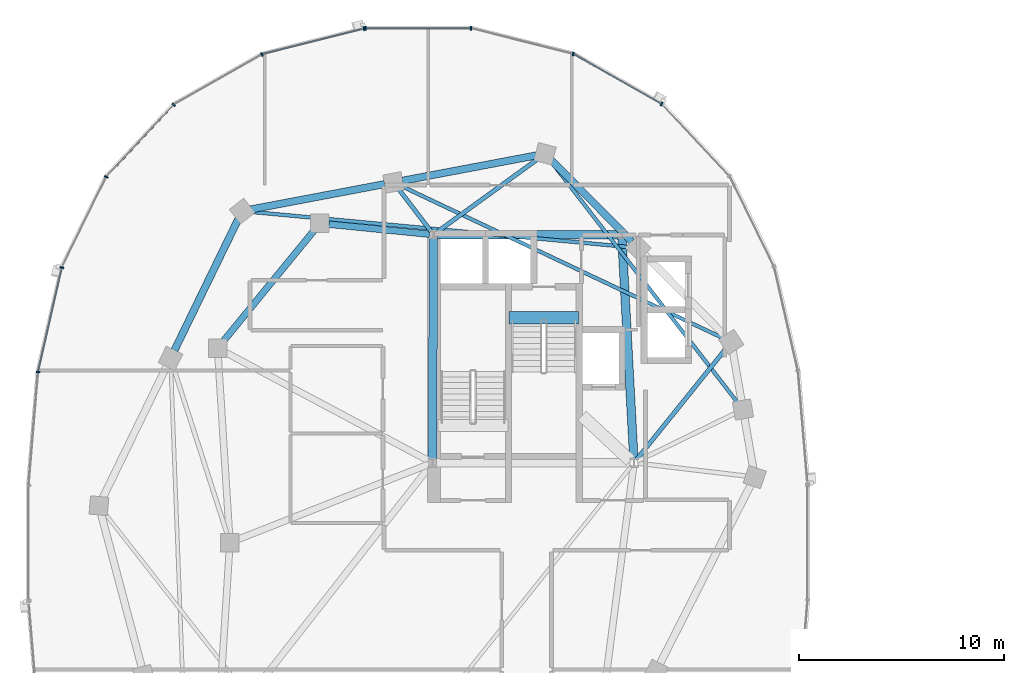
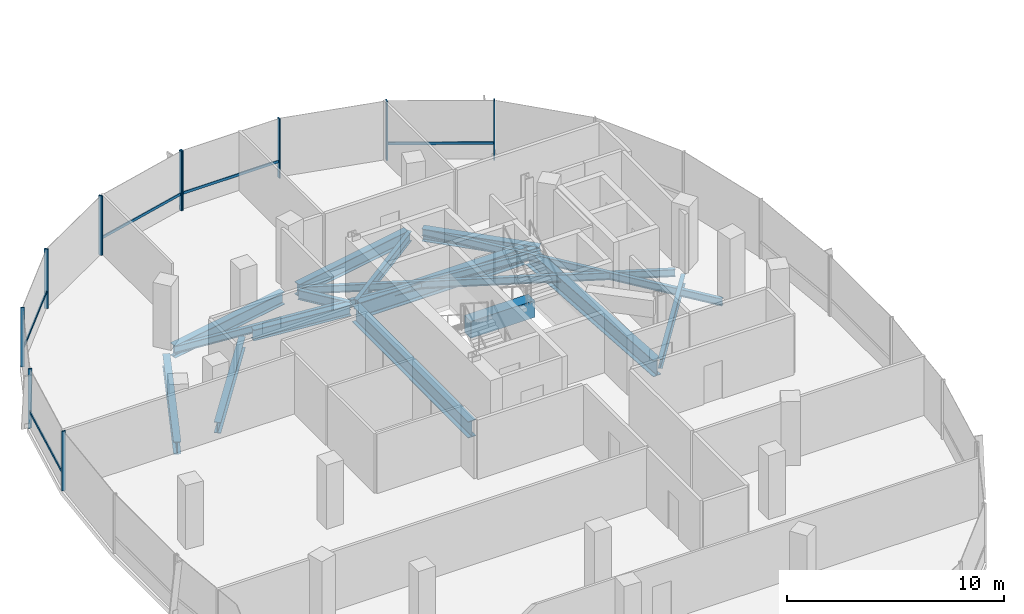
# One storey, part 6 of 25: 16 beams, 15 members, 2 elements without a shape of their own.
"""IFC4 building model written with IfcOpenShell, lengths in metres."""

import ifcopenshell
import ifcopenshell.guid

model = None  # the IFC model being written
_history = None  # IfcOwnerHistory: only IFC2X3 demands one
_inside = {}  # id of a spatial element -> (the spatial element, [elements in it])
_under = {}  # id of a project, library or spatial element -> (it, [spatial elements below it])
_declared = {}  # id of a project -> (the project, [libraries it declares])
_typed = {}  # id of a type object -> (the type object, [elements of that type])
_made_of = {}  # id of a material, layer set ... -> (it, [elements and type objects made of it])


def new_model(schema):
    """Start an empty IFC model of exactly this schema.

    Asked for "IFC4X3", IfcOpenShell would pick the latest addendum, in which some entities
    have other attributes; the version numbers below select the first issue.
    IFC2X3 requires an IfcOwnerHistory on every rooted entity: one is made here for all.
    """
    global model, _history
    if schema == "IFC4X3":
        model = ifcopenshell.file(schema_version=(4, 3, 0, 0))
    else:
        model = ifcopenshell.file(schema=schema)
    _inside.clear()
    _under.clear()
    _declared.clear()
    _typed.clear()
    _made_of.clear()
    _history = None
    if model.schema == "IFC2X3":
        org = make("IfcOrganization", Name="unknown")
        user = make(
            "IfcPersonAndOrganization",
            ThePerson=make("IfcPerson", FamilyName="unknown"),
            TheOrganization=org,
        )
        app = make(
            "IfcApplication",
            ApplicationDeveloper=org,
            Version="unknown",
            ApplicationFullName="unknown",
            ApplicationIdentifier="unknown",
        )
        _history = make(
            "IfcOwnerHistory",
            OwningUser=user,
            OwningApplication=app,
            ChangeAction="ADDED",
            CreationDate=0,
        )
    return model


def make(cls, **values):
    """One entity of the class cls with the attributes given. An attribute that is None is left unset."""
    return model.create_entity(
        cls, **{name: value for name, value in values.items() if value is not None}
    )


def rooted(cls, **values):
    """An entity with a GlobalId (a new one), such as an element, a storey or a relation."""
    return make(cls, GlobalId=ifcopenshell.guid.new(), OwnerHistory=_history, **values)


def si_unit(unit_type, name, prefix=None):
    """IfcSIUnit, for example si_unit("LENGTHUNIT", "METRE", prefix="MILLI")."""
    return make("IfcSIUnit", UnitType=unit_type, Prefix=prefix, Name=name)


def assignment(units):
    """IfcUnitAssignment: the units of a project."""
    return None if units is None else make("IfcUnitAssignment", Units=units)


def point(xyz):
    """IfcCartesianPoint."""
    return None if xyz is None else make("IfcCartesianPoint", Coordinates=xyz)


def direction(xyz):
    """IfcDirection."""
    return None if xyz is None else make("IfcDirection", DirectionRatios=xyz)


def frame(location, z_axis=None, x_axis=None):
    """IfcAxis2Placement3D, a coordinate frame: its origin and axes. An axis left out is left unset."""
    return make(
        "IfcAxis2Placement3D",
        Location=point(location),
        Axis=direction(z_axis),
        RefDirection=direction(x_axis),
    )


def frame_2d(location, x_axis=None):
    """IfcAxis2Placement2D, a coordinate frame in the plane: its origin and x axis."""
    return make(
        "IfcAxis2Placement2D", Location=point(location), RefDirection=direction(x_axis)
    )


def origin():
    """The frame at (0, 0, 0) with its axes left unset."""
    return frame((0.0, 0.0, 0.0))


def origin_2d():
    """The frame at (0, 0) in the plane with its x axis left unset."""
    return frame_2d((0.0, 0.0))


def place(relative_to, where):
    """IfcLocalPlacement: puts the frame where relative to a parent placement (None: the world)."""
    return make(
        "IfcLocalPlacement", PlacementRelTo=relative_to, RelativePlacement=where
    )


def context(
    kind, dimensions, precision=None, world=None, true_north=None, identifier=None
):
    """IfcGeometricRepresentationContext, for example the 3D "Model" context."""
    return make(
        "IfcGeometricRepresentationContext",
        ContextIdentifier=identifier,
        ContextType=kind,
        CoordinateSpaceDimension=dimensions,
        Precision=precision,
        WorldCoordinateSystem=world,
        TrueNorth=true_north,
    )


def subcontext(parent, identifier, kind, view, scale=None):
    """IfcGeometricRepresentationSubContext, for example "Body" below "Model"."""
    return make(
        "IfcGeometricRepresentationSubContext",
        ContextIdentifier=identifier,
        ContextType=kind,
        ParentContext=parent,
        TargetScale=scale,
        TargetView=view,
    )


def project(units=None, contexts=None):
    """IfcProject with its units and contexts."""
    return rooted(
        "IfcProject",
        Name="project",
        RepresentationContexts=contexts,
        UnitsInContext=assignment(units),
    )


def spatial(cls, under=None, at=None, **own):
    """A site, building, storey or space (cls), placed at a placement, below another one or the project."""
    s = rooted(cls, ObjectPlacement=at, **own)
    if under is not None:
        _under.setdefault(under.id(), (under, []))[1].append(s)
    return s


def profile(cls, at=None, kind="AREA", **sizes):
    """A parametric profile (cls). Its sizes go by their IFC names, for example OverallWidth=200.0."""
    return make(cls, ProfileType=kind, Position=at, **sizes)


def rectangle(**sizes):
    """IfcRectangleProfileDef."""
    return profile("IfcRectangleProfileDef", **sizes)


def i_section(**sizes):
    """IfcIShapeProfileDef."""
    return profile("IfcIShapeProfileDef", **sizes)


def extrude(swept, where, along, depth):
    """IfcExtrudedAreaSolid: the profile swept, set in the frame where, extruded along a direction by depth."""
    return make(
        "IfcExtrudedAreaSolid",
        SweptArea=swept,
        Position=where,
        ExtrudedDirection=direction(along),
        Depth=depth,
    )


def shape(context_of_items, identifier, shape_type, items):
    """IfcShapeRepresentation: the items that make up one representation, for example the "Body"."""
    return make(
        "IfcShapeRepresentation",
        ContextOfItems=context_of_items,
        RepresentationIdentifier=identifier,
        RepresentationType=shape_type,
        Items=items,
    )


def material(Name=None, Category=None):
    """IfcMaterial."""
    return make("IfcMaterial", Name=Name, Category=Category)


def material_profile(
    of_material, cross_section, Name=None, Category=None, Priority=None
):
    """IfcMaterialProfile: a cross section and its material."""
    return make(
        "IfcMaterialProfile",
        Name=Name,
        Material=of_material,
        Profile=cross_section,
        Priority=Priority,
        Category=Category,
    )


def profile_set(profiles, Name=None, composite=None):
    """IfcMaterialProfileSet."""
    return make(
        "IfcMaterialProfileSet",
        Name=Name,
        MaterialProfiles=profiles,
        CompositeProfile=composite,
    )


def made_of(thing, what):
    """Note that an element or type object is made of a material, layer set ...; save() writes the relation."""
    if what is not None:
        _made_of.setdefault(what.id(), (what, []))[1].append(thing)
    return thing


def type_object(cls, material=None, **own):
    """A type object (cls), such as IfcWallType, which elements share."""
    return made_of(rooted(cls, **own), material)


def element(
    cls,
    number,
    at=None,
    inside=None,
    cuts=None,
    type_object=None,
    material=None,
    context=None,
    identifier="Body",
    shape_type=None,
    held_by="IfcProductDefinitionShape",
    body=None,
    shapes=None,
    **own,
):
    """One element of the class cls, such as IfcWall. Its Tag is "e" and its number.

    at: its placement. inside: the storey or other place that contains it. cuts: it is an
    opening in that element (IfcRelVoidsElement). A single representation is given by context,
    identifier, shape_type and body (its items); several are given by shapes. held_by: the class
    of the entity that holds the representations. save() writes the other relations.
    """
    e = rooted(cls, Tag="e%d" % number, ObjectPlacement=at, **own)
    if body is not None:
        shapes = [shape(context, identifier, shape_type, body)]
    if shapes is not None:
        e.Representation = make(held_by, Representations=shapes)
    if inside is not None:
        _inside.setdefault(inside.id(), (inside, []))[1].append(e)
    if cuts is not None:
        rooted(
            "IfcRelVoidsElement", RelatingBuildingElement=cuts, RelatedOpeningElement=e
        )
    if type_object is not None:
        _typed.setdefault(type_object.id(), (type_object, []))[1].append(e)
    return made_of(e, material)


def aggregate(whole, parts):
    """IfcRelAggregates: a whole, such as a stair, and the parts it consists of."""
    return rooted("IfcRelAggregates", RelatingObject=whole, RelatedObjects=parts)


def save(model, path):
    """Write the relations noted so far, then the file.

    IfcRelAggregates (storeys below a building ...), IfcRelContainedInSpatialStructure (elements
    in a storey), IfcRelDefinesByType, IfcRelAssociatesMaterial and IfcRelDeclares: one each for
    every whole, place, type object, material and project.
    """
    for whole, parts in _under.values():
        aggregate(whole, parts)
    for where, things in _inside.values():
        rooted(
            "IfcRelContainedInSpatialStructure",
            RelatedElements=things,
            RelatingStructure=where,
        )
    for kind, things in _typed.values():
        rooted("IfcRelDefinesByType", RelatedObjects=things, RelatingType=kind)
    for what, things in _made_of.values():
        rooted("IfcRelAssociatesMaterial", RelatedObjects=things, RelatingMaterial=what)
    for by, libraries in _declared.values():
        rooted("IfcRelDeclares", RelatingContext=by, RelatedDefinitions=libraries)
    model.write(path)


model = new_model("IFC4")

# Units and contexts
model_context = context("Model", 3, precision=1e-05, world=origin(), true_north=direction((0.0, 1.0)))
body_context = subcontext(model_context, "Body", "Model", "MODEL_VIEW")
ifc_project = project(units=[si_unit("LENGTHUNIT", "METRE"), si_unit("AREAUNIT", "SQUARE_METRE"), si_unit("VOLUMEUNIT", "CUBIC_METRE"), si_unit("PLANEANGLEUNIT", "RADIAN"), si_unit("MASSUNIT", "GRAM", prefix="KILO"), si_unit("THERMODYNAMICTEMPERATUREUNIT", "KELVIN"), si_unit("POWERUNIT", "WATT")], contexts=[model_context])

# Site, building, storey
site_placement = place(None, origin())
site = spatial("IfcSite", under=ifc_project, at=site_placement, CompositionType="ELEMENT")
building_placement = place(site_placement, origin())
building = spatial("IfcBuilding", under=site, at=building_placement, Name="Cundina Bronze Exchange", CompositionType="ELEMENT")
storey_placement = place(building_placement, frame((0.0, 0.0, 220.60009765625)))
storey = spatial("IfcBuildingStorey", under=building, at=storey_placement, Name="L58", CompositionType="ELEMENT", Elevation=220.60009765625)

# Beams
ifc_material_1 = material(Name="Concrete C60/75", Category="concrete")
ifc_material_profile_1 = material_profile(ifc_material_1, rectangle(XDim=0.60009765625, YDim=0.949951171875, at=origin_2d()), Name="RC600X950", Category="concrete")
ifc_profile_set_1 = profile_set([ifc_material_profile_1], Name="Concrete C60/75")
beam_type_1 = type_object("IfcBeamType", Name="BM-COUP-RC950", PredefinedType="LINTEL", material=ifc_profile_set_1)
beam_1_placement = place(storey_placement, frame((-27.56005859375, 10.97998046875, -0.47509765625), z_axis=(1.0, 0.0, 0.0), x_axis=(0.0, 1.0, 0.0)))
element("IfcBeam", 1, at=beam_1_placement, inside=storey, type_object=beam_type_1, Name="L58 Stair W2 Landing Header Beam", PredefinedType="LINTEL", context=body_context, shape_type="SweptSolid", body=[
    extrude(rectangle(XDim=0.60009765625, YDim=0.949951171875, at=origin_2d()), origin(), (0.0, 0.0, 1.0), 3.400146484375),
])
ifc_material_2 = material(Name="Steel ASTM A992 Grade 50", Category="steel")
ifc_material_profile_2 = material_profile(ifc_material_2, i_section(OverallWidth=0.2119140625, OverallDepth=0.5439453125, WebThickness=0.01318359375, FlangeThickness=0.021240234375, FilletRadius=0.013916015625, at=origin_2d()), Name="W21X83", Category="steel")
ifc_profile_set_2 = profile_set([ifc_material_profile_2], Name="Steel ASTM A992 Grade 50")
beam_type_2 = type_object("IfcBeamType", Name="BM-FLR-W21A", PredefinedType="BEAM", material=ifc_profile_set_2)
beam_2_placement = place(storey_placement, frame((-21.3271484375, 4.052734375, -0.531982421875), z_axis=(0.627128630072, 0.778915708755, 0.0), x_axis=(-0.778915708755, 0.627128630072, 0.0)))
element("IfcBeam", 2, at=beam_2_placement, inside=storey, type_object=beam_type_2, Name="L58 Leg W Radial Floor Beam 02", PredefinedType="BEAM", context=body_context, shape_type="SweptSolid", body=[
    extrude(i_section(OverallWidth=0.2119140625, OverallDepth=0.5439453125, WebThickness=0.01318359375, FlangeThickness=0.021240234375, FilletRadius=0.013916015625, at=origin_2d()), origin(), (0.0, 0.0, 1.0), 6.9404296875),
])
beam_3_placement = place(storey_placement, frame((-31.09130859375, 15.1650390625, -0.531982421875), z_axis=(0.809709858543, 0.586830422677, 0.0), x_axis=(-0.586830422677, 0.809709858543, 0.0)))
element("IfcBeam", 3, at=beam_3_placement, inside=storey, type_object=beam_type_2, Name="L58 Leg W Radial Floor Beam 04", PredefinedType="BEAM", context=body_context, shape_type="SweptSolid", body=[
    extrude(i_section(OverallWidth=0.2119140625, OverallDepth=0.5439453125, WebThickness=0.01318359375, FlangeThickness=0.021240234375, FilletRadius=0.013916015625, at=origin_2d()), origin(), (0.0, 0.0, 1.0), 6.096923828125),
])
beam_4_placement = place(storey_placement, frame((-31.369140625, 15.205810546875, -0.531982421875), z_axis=(-0.60740437517, 0.794392802727, 0.0), x_axis=(-0.794392802727, -0.60740437517, 0.0)))
element("IfcBeam", 4, at=beam_4_placement, inside=storey, type_object=beam_type_2, Name="L58 Leg W Radial Floor Beam 05", PredefinedType="BEAM", context=body_context, shape_type="SweptSolid", body=[
    extrude(i_section(OverallWidth=0.2119140625, OverallDepth=0.5439453125, WebThickness=0.01318359375, FlangeThickness=0.021240234375, FilletRadius=0.013916015625, at=origin_2d()), origin(), (0.0, 0.0, 1.0), 2.575927734375),
])
ifc_material_profile_3 = material_profile(ifc_material_2, i_section(OverallWidth=0.178955078125, OverallDepth=0.409912109375, WebThickness=0.0087890625, FlangeThickness=0.014404296875, FilletRadius=0.010986328125, at=origin_2d()), Name="W16X45", Category="steel")
ifc_profile_set_3 = profile_set([ifc_material_profile_3], Name="Steel ASTM A992 Grade 50")
beam_type_3 = type_object("IfcBeamType", Name="BM-JST-W16", PredefinedType="JOIST", material=ifc_profile_set_3)
beam_5_placement = place(storey_placement, frame((-16.39306640625, 6.846435546875, -0.465087890625), z_axis=(-0.612085793291, 0.790791364174, 0.0), x_axis=(-0.790791364174, -0.612085793291, 0.0)))
element("IfcBeam", 5, at=beam_5_placement, inside=storey, type_object=beam_type_3, Name="L58 Leg W Lobe Floor Joist 01-04", PredefinedType="JOIST", context=body_context, shape_type="SweptSolid", body=[
    extrude(i_section(OverallWidth=0.178955078125, OverallDepth=0.409912109375, WebThickness=0.0087890625, FlangeThickness=0.014404296875, FilletRadius=0.010986328125, at=origin_2d()), origin(), (0.0, 0.0, 1.0), 14.9306640625),
])
beam_6_placement = place(storey_placement, frame((-17.095947265625, 9.9873046875, -0.465087890625), z_axis=(-0.904073747204, 0.427376484632, 0.0), x_axis=(-0.427376484632, -0.904073747204, 0.0)))
element("IfcBeam", 6, at=beam_6_placement, inside=storey, type_object=beam_type_3, Name="L58 Leg W Lobe Floor Joist 02-05", PredefinedType="JOIST", context=body_context, shape_type="SweptSolid", body=[
    extrude(i_section(OverallWidth=0.178955078125, OverallDepth=0.409912109375, WebThickness=0.0087890625, FlangeThickness=0.014404296875, FilletRadius=0.010986328125, at=origin_2d()), origin(), (0.0, 0.0, 1.0), 17.374755859375),
])
beam_7_placement = place(storey_placement, frame((-21.68603515625, 14.440673828125, -0.465087890625), z_axis=(-0.9957017803, 0.092617302415, 0.0), x_axis=(-0.092617302415, -0.9957017803, 0.0)))
element("IfcBeam", 7, at=beam_7_placement, inside=storey, type_object=beam_type_3, Name="L58 Leg W Lobe Floor Joist 03-06", PredefinedType="JOIST", context=body_context, shape_type="SweptSolid", body=[
    extrude(i_section(OverallWidth=0.178955078125, OverallDepth=0.409912109375, WebThickness=0.0087890625, FlangeThickness=0.014404296875, FilletRadius=0.010986328125, at=origin_2d()), origin(), (0.0, 0.0, 1.0), 18.5576171875),
])
ifc_material_profile_4 = material_profile(ifc_material_2, i_section(OverallWidth=0.324951171875, OverallDepth=0.615966796875, WebThickness=0.013916015625, FlangeThickness=0.021484375, FilletRadius=0.01611328125, at=origin_2d()), Name="W24X117", Category="steel")
ifc_profile_set_4 = profile_set([ifc_material_profile_4], Name="Steel ASTM A992 Grade 50")
beam_type_4 = type_object("IfcBeamType", Name="BM-RING-W24", PredefinedType="USERDEFINED", material=ifc_profile_set_4)
beam_8_placement = place(storey_placement, frame((-31.445068359375, 15.0693359375, -0.568115234375), z_axis=(-0.995123854478, 0.09863323096, 0.0), x_axis=(-0.09863323096, -0.995123854478, 0.0)))
element("IfcBeam", 8, at=beam_8_placement, inside=storey, type_object=beam_type_4, Name="L58 W Inner Structural Ring Girder 01", ObjectType="GIRDER", PredefinedType="USERDEFINED", context=body_context, shape_type="SweptSolid", body=[
    extrude(i_section(OverallWidth=0.324951171875, OverallDepth=0.615966796875, WebThickness=0.013916015625, FlangeThickness=0.021484375, FilletRadius=0.01611328125, at=origin_2d()), origin(), (0.0, 0.0, 1.0), 4.943115234375),
])
beam_9_placement = place(storey_placement, frame((-37.07763671875, 15.26123046875, -0.568115234375), z_axis=(-0.633912590175, -0.77340469873, 0.0), x_axis=(0.77340469873, -0.633912590175, 0.0)))
element("IfcBeam", 9, at=beam_9_placement, inside=storey, type_object=beam_type_4, Name="L58 W Inner Structural Ring Girder 02", ObjectType="GIRDER", PredefinedType="USERDEFINED", context=body_context, shape_type="SweptSolid", body=[
    extrude(i_section(OverallWidth=0.324951171875, OverallDepth=0.615966796875, WebThickness=0.013916015625, FlangeThickness=0.021484375, FilletRadius=0.01611328125, at=origin_2d()), origin(), (0.0, 0.0, 1.0), 7.01123046875),
])
ifc_material_profile_5 = material_profile(ifc_material_2, i_section(OverallWidth=0.35498046875, OverallDepth=0.695068359375, WebThickness=0.015380859375, FlangeThickness=0.02490234375, FilletRadius=0.01806640625, at=origin_2d()), Name="W27X146", Category="steel")
ifc_profile_set_5 = profile_set([ifc_material_profile_5], Name="Steel ASTM A992 Grade 50")
beam_type_5 = type_object("IfcBeamType", Name="BM-RING-W27", PredefinedType="USERDEFINED", material=ifc_profile_set_5)
beam_10_placement = place(storey_placement, frame((-21.55810546875, 14.71142578125, -0.607666015625), z_axis=(-0.703211928763, 0.710980297368, 0.0), x_axis=(-0.710980297368, -0.703211928763, 0.0)))
element("IfcBeam", 10, at=beam_10_placement, inside=storey, type_object=beam_type_5, Name="L58 W Perimeter Ring Girder 03", ObjectType="GIRDER", PredefinedType="USERDEFINED", context=body_context, shape_type="SweptSolid", body=[
    extrude(i_section(OverallWidth=0.35498046875, OverallDepth=0.695068359375, WebThickness=0.015380859375, FlangeThickness=0.02490234375, FilletRadius=0.01806640625, at=origin_2d()), origin(), (0.0, 0.0, 1.0), 5.593994140625),
])
beam_11_placement = place(storey_placement, frame((-26.23046875, 18.918701171875, -0.607666015625), z_axis=(-0.982565174657, -0.185918470175, 0.0), x_axis=(0.185918470175, -0.982565174657, 0.0)))
element("IfcBeam", 11, at=beam_11_placement, inside=storey, type_object=beam_type_5, Name="L58 W Perimeter Ring Girder 04", ObjectType="GIRDER", PredefinedType="USERDEFINED", context=body_context, shape_type="SweptSolid", body=[
    extrude(i_section(OverallWidth=0.35498046875, OverallDepth=0.695068359375, WebThickness=0.015380859375, FlangeThickness=0.02490234375, FilletRadius=0.01806640625, at=origin_2d()), origin(), (0.0, 0.0, 1.0), 6.655029296875),
])
beam_12_placement = place(storey_placement, frame((-33.63037109375, 17.5185546875, -0.607666015625), z_axis=(-0.982573143022, -0.185876353022, 0.0), x_axis=(0.185876353022, -0.982573143022, 0.0)))
element("IfcBeam", 12, at=beam_12_placement, inside=storey, type_object=beam_type_5, Name="L58 W Perimeter Ring Girder 05", ObjectType="GIRDER", PredefinedType="USERDEFINED", context=body_context, shape_type="SweptSolid", body=[
    extrude(i_section(OverallWidth=0.35498046875, OverallDepth=0.695068359375, WebThickness=0.015380859375, FlangeThickness=0.02490234375, FilletRadius=0.01806640625, at=origin_2d()), origin(), (0.0, 0.0, 1.0), 6.6552734375),
])
beam_13_placement = place(storey_placement, frame((-40.79150390625, 15.80615234375, -0.607666015625), z_axis=(-0.437173087764, -0.89937739094, 0.0), x_axis=(0.89937739094, -0.437173087764, 0.0)))
element("IfcBeam", 13, at=beam_13_placement, inside=storey, type_object=beam_type_5, Name="L58 W Perimeter Ring Girder 06", ObjectType="GIRDER", PredefinedType="USERDEFINED", context=body_context, shape_type="SweptSolid", body=[
    extrude(i_section(OverallWidth=0.35498046875, OverallDepth=0.695068359375, WebThickness=0.015380859375, FlangeThickness=0.02490234375, FilletRadius=0.01806640625, at=origin_2d()), origin(), (0.0, 0.0, 1.0), 7.1298828125),
])
ifc_material_profile_6 = material_profile(ifc_material_2, i_section(OverallWidth=0.41796875, OverallDepth=0.927001953125, WebThickness=0.019287109375, FlangeThickness=0.031982421875, FilletRadius=0.02392578125, at=origin_2d()), Name="W36X231", Category="steel")
ifc_profile_set_6 = profile_set([ifc_material_profile_6], Name="Steel ASTM A992 Grade 50")
beam_type_6 = type_object("IfcBeamType", Name="BM-WRN-W36B", PredefinedType="USERDEFINED", material=ifc_profile_set_6)
beam_14_placement = place(storey_placement, frame((-21.46044921875, 4.095703125, -0.7236328125), z_axis=(-0.053749317644, 0.998554460634, 0.0), x_axis=(-0.998554460634, -0.053749317644, 0.0)))
element("IfcBeam", 14, at=beam_14_placement, inside=storey, type_object=beam_type_6, Name="L58 W Core Perimeter Tie Girder 2", ObjectType="GIRDER", PredefinedType="USERDEFINED", context=body_context, shape_type="SweptSolid", body=[
    extrude(i_section(OverallWidth=0.41796875, OverallDepth=0.927001953125, WebThickness=0.019287109375, FlangeThickness=0.031982421875, FilletRadius=0.02392578125, at=origin_2d()), origin(), (0.0, 0.0, 1.0), 10.774169921875),
])
beam_15_placement = place(storey_placement, frame((-22.24609375, 15.050048828125, -0.7236328125), z_axis=(-1.0, 0.0, 0.0), x_axis=(0.0, -1.0, 0.0)))
element("IfcBeam", 15, at=beam_15_placement, inside=storey, type_object=beam_type_6, Name="L58 W Core Perimeter Tie Girder 3", ObjectType="GIRDER", PredefinedType="USERDEFINED", context=body_context, shape_type="SweptSolid", body=[
    extrude(i_section(OverallWidth=0.41796875, OverallDepth=0.927001953125, WebThickness=0.019287109375, FlangeThickness=0.031982421875, FilletRadius=0.02392578125, at=origin_2d()), origin(), (0.0, 0.0, 1.0), 8.807861328125),
])
beam_16_placement = place(storey_placement, frame((-31.2509765625, 14.85400390625, -0.7236328125), z_axis=(-0.004470623654, -0.999990006712, 0.0), x_axis=(0.999990006712, -0.004470623654, 0.0)))
element("IfcBeam", 16, at=beam_16_placement, inside=storey, type_object=beam_type_6, Name="L58 W Core Perimeter Tie Girder 4", ObjectType="GIRDER", PredefinedType="USERDEFINED", context=body_context, shape_type="SweptSolid", body=[
    extrude(i_section(OverallWidth=0.41796875, OverallDepth=0.927001953125, WebThickness=0.019287109375, FlangeThickness=0.031982421875, FilletRadius=0.02392578125, at=origin_2d()), origin(), (0.0, 0.0, 1.0), 10.758056640625),
])

# Curtain wall, members
ifc_material_3 = material(Name="Anodised Bronze Aluminium 6063-T6", Category="aluminium")
curtain_wall_type = type_object("IfcCurtainWallType", Name="CWS-UPP-OFF", PredefinedType="NOTDEFINED", material=ifc_material_3)
curtain_wall_1_placement = place(storey_placement, origin())
curtain_wall_1 = element("IfcCurtainWall", 17, at=curtain_wall_1_placement, inside=storey, type_object=curtain_wall_type, Name="L58 CW-05 Curtain Wall Run CWR-L58-W1", PredefinedType="NOTDEFINED")
ifc_material_profile_7 = material_profile(ifc_material_3, rectangle(XDim=0.070068359375, YDim=0.18994140625, at=origin_2d()), Name="AL70X190", Category="aluminium")
ifc_profile_set_7 = profile_set([ifc_material_profile_7], Name="Anodised Bronze Aluminium 6063-T6")
member_type_1 = type_object("IfcMemberType", Name="CWM-MUL-190", PredefinedType="MULLION", material=ifc_profile_set_7)
member_1_placement = place(storey_placement, frame((-20.100341796875, 21.43115234375, 0.0), z_axis=(0.0, 0.0, 1.0), x_axis=(-0.86958112538, 0.493790103568, 0.0)))
member_1 = element("IfcMember", 18, at=member_1_placement, type_object=member_type_1, Name="CW-05 Mullion 5", PredefinedType="MULLION", context=body_context, shape_type="SweptSolid", body=[
    extrude(rectangle(XDim=0.070068359375, YDim=0.18994140625, at=origin_2d()), origin(), (0.0, 0.0, 1.0), 3.33984375),
])
member_2_placement = place(storey_placement, frame((-24.422607421875, 23.87548828125, 0.0), z_axis=(0.0, 0.0, 1.0), x_axis=(-0.969744325821, 0.244122802168, 0.0)))
member_2 = element("IfcMember", 19, at=member_2_placement, type_object=member_type_1, Name="CW-05 Mullion 6", PredefinedType="MULLION", context=body_context, shape_type="SweptSolid", body=[
    extrude(rectangle(XDim=0.070068359375, YDim=0.18994140625, at=origin_2d()), origin(), (0.0, 0.0, 1.0), 3.33984375),
])
member_3_placement = place(storey_placement, frame((-29.419921875, 25.125, 0.0), z_axis=(0.0, 0.0, 1.0), x_axis=(-1.0, 0.0, 0.0)))
member_3 = element("IfcMember", 20, at=member_3_placement, type_object=member_type_1, Name="CW-05 Mullion 7", PredefinedType="MULLION", context=body_context, shape_type="SweptSolid", body=[
    extrude(rectangle(XDim=0.070068359375, YDim=0.18994140625, at=origin_2d()), origin(), (0.0, 0.0, 1.0), 3.33984375),
])
member_4_placement = place(storey_placement, frame((-34.580078125, 25.125, 0.0), z_axis=(0.0, 0.0, 1.0), x_axis=(-1.0, 0.0, 0.0)))
member_4 = element("IfcMember", 21, at=member_4_placement, type_object=member_type_1, Name="CW-05 End Mullion", PredefinedType="MULLION", context=body_context, shape_type="SweptSolid", body=[
    extrude(rectangle(XDim=0.070068359375, YDim=0.18994140625, at=origin_2d()), origin(), (0.0, 0.0, 1.0), 3.33984375),
])

curtain_wall_2_placement = place(storey_placement, origin())
curtain_wall_2 = element("IfcCurtainWall", 22, at=curtain_wall_2_placement, inside=storey, type_object=curtain_wall_type, Name="L58 CW-05 Curtain Wall Run CWR-L58-W2", PredefinedType="NOTDEFINED")
member_5_placement = place(storey_placement, frame((-34.6484375, 25.116455078125, 0.0), z_axis=(0.0, 0.0, 1.0), x_axis=(-0.969744325821, -0.244122802168, 0.0)))
member_5 = element("IfcMember", 23, at=member_5_placement, type_object=member_type_1, Name="CW-05 Mullion 1", PredefinedType="MULLION", context=body_context, shape_type="SweptSolid", body=[
    extrude(rectangle(XDim=0.070068359375, YDim=0.18994140625, at=origin_2d()), origin(), (0.0, 0.0, 1.0), 3.33984375),
])
member_6_placement = place(storey_placement, frame((-39.638916015625, 23.850830078125, 0.0), z_axis=(0.0, 0.0, 1.0), x_axis=(-0.86958112538, -0.493790103568, 0.0)))
member_6 = element("IfcMember", 24, at=member_6_placement, type_object=member_type_1, Name="CW-05 Mullion 2", PredefinedType="MULLION", context=body_context, shape_type="SweptSolid", body=[
    extrude(rectangle(XDim=0.070068359375, YDim=0.18994140625, at=origin_2d()), origin(), (0.0, 0.0, 1.0), 3.33984375),
])
member_7_placement = place(storey_placement, frame((-43.94873046875, 21.392578125, 0.0), z_axis=(0.0, 0.0, 1.0), x_axis=(-0.684292606175, -0.729207535023, 0.0)))
member_7 = element("IfcMember", 25, at=member_7_placement, type_object=member_type_1, Name="CW-05 Mullion 3", PredefinedType="MULLION", context=body_context, shape_type="SweptSolid", body=[
    extrude(rectangle(XDim=0.070068359375, YDim=0.18994140625, at=origin_2d()), origin(), (0.0, 0.0, 1.0), 3.33984375),
])
member_8_placement = place(storey_placement, frame((-47.245361328125, 17.866455078125, 0.0), z_axis=(0.0, 0.0, 1.0), x_axis=(-0.440566004113, -0.897720221461, 0.0)))
member_8 = element("IfcMember", 26, at=member_8_placement, type_object=member_type_1, Name="CW-05 Mullion 4", PredefinedType="MULLION", context=body_context, shape_type="SweptSolid", body=[
    extrude(rectangle(XDim=0.070068359375, YDim=0.18994140625, at=origin_2d()), origin(), (0.0, 0.0, 1.0), 3.33984375),
])
member_9_placement = place(storey_placement, frame((-49.40771484375, 13.440673828125, 0.0), z_axis=(0.0, 0.0, 1.0), x_axis=(-0.223250116011, -0.974761194191, 0.0)))
member_9 = element("IfcMember", 27, at=member_9_placement, type_object=member_type_1, Name="CW-05 Mullion 5", PredefinedType="MULLION", context=body_context, shape_type="SweptSolid", body=[
    extrude(rectangle(XDim=0.070068359375, YDim=0.18994140625, at=origin_2d()), origin(), (0.0, 0.0, 1.0), 3.33984375),
])
member_10_placement = place(storey_placement, frame((-50.572509765625, 8.33056640625, 0.0), z_axis=(0.0, 0.0, 1.0), x_axis=(-0.083677843332, -0.99649285925, 0.0)))
member_10 = element("IfcMember", 28, at=member_10_placement, type_object=member_type_1, Name="CW-05 Mullion 6", PredefinedType="MULLION", context=body_context, shape_type="SweptSolid", body=[
    extrude(rectangle(XDim=0.070068359375, YDim=0.18994140625, at=origin_2d()), origin(), (0.0, 0.0, 1.0), 3.33984375),
])

# Member
ifc_material_profile_8 = material_profile(ifc_material_3, rectangle(XDim=0.06494140625, YDim=0.14990234375, at=origin_2d()), Name="AL65X150", Category="aluminium")
ifc_profile_set_8 = profile_set([ifc_material_profile_8], Name="Anodised Bronze Aluminium 6063-T6")
member_type_2 = type_object("IfcMemberType", Name="CWM-TRN-150", PredefinedType="USERDEFINED", material=ifc_profile_set_8)
member_11_placement = place(storey_placement, frame((-20.1337890625, 21.4501953125, 0.919921875), z_axis=(-0.869573748083, 0.493803095013, 0.0), x_axis=(-0.493803095013, -0.869573748083, 0.0)))
member_11 = element("IfcMember", 29, at=member_11_placement, type_object=member_type_2, Name="CW-05 Spandrel Transom 5", ObjectType="TRANSOM", PredefinedType="USERDEFINED", context=body_context, shape_type="SweptSolid", body=[
    extrude(rectangle(XDim=0.06494140625, YDim=0.14990234375, at=origin_2d()), origin(), (0.0, 0.0, 1.0), 4.900146484375),
])

member_12_placement = place(storey_placement, frame((-29.45849609375, 25.125, 0.919921875), z_axis=(-1.0, 0.0, 0.0), x_axis=(0.0, -1.0, 0.0)))
member_12 = element("IfcMember", 30, at=member_12_placement, type_object=member_type_2, Name="CW-05 Spandrel Transom 7", ObjectType="TRANSOM", PredefinedType="USERDEFINED", context=body_context, shape_type="SweptSolid", body=[
    extrude(rectangle(XDim=0.06494140625, YDim=0.14990234375, at=origin_2d()), origin(), (0.0, 0.0, 1.0), 5.0830078125),
])

aggregate(curtain_wall_1, [member_1, member_11, member_2, member_3, member_4, member_12])

member_13_placement = place(storey_placement, frame((-34.685791015625, 25.107177734375, 0.919921875), z_axis=(-0.969725738797, -0.244196624699, 0.0), x_axis=(0.244196624699, -0.969725738797, 0.0)))
member_13 = element("IfcMember", 31, at=member_13_placement, type_object=member_type_2, Name="CW-05 Spandrel Transom 1", ObjectType="TRANSOM", PredefinedType="USERDEFINED", context=body_context, shape_type="SweptSolid", body=[
    extrude(rectangle(XDim=0.06494140625, YDim=0.14990234375, at=origin_2d()), origin(), (0.0, 0.0, 1.0), 5.082763671875),
])

member_14_placement = place(storey_placement, frame((-43.97509765625, 21.364501953125, 0.919921875), z_axis=(-0.684336416554, -0.729166420633, 0.0), x_axis=(0.729166420633, -0.684336416554, 0.0)))
member_14 = element("IfcMember", 32, at=member_14_placement, type_object=member_type_2, Name="CW-05 Spandrel Transom 3", ObjectType="TRANSOM", PredefinedType="USERDEFINED", context=body_context, shape_type="SweptSolid", body=[
    extrude(rectangle(XDim=0.06494140625, YDim=0.14990234375, at=origin_2d()), origin(), (0.0, 0.0, 1.0), 4.76513671875),
])

member_15_placement = place(storey_placement, frame((-49.41650390625, 13.403076171875, 0.919921875), z_axis=(-0.22328343579, -0.974753562344, 0.0), x_axis=(0.974753562344, -0.22328343579, 0.0)))
member_15 = element("IfcMember", 33, at=member_15_placement, type_object=member_type_2, Name="CW-05 Spandrel Transom 5", ObjectType="TRANSOM", PredefinedType="USERDEFINED", context=body_context, shape_type="SweptSolid", body=[
    extrude(rectangle(XDim=0.06494140625, YDim=0.14990234375, at=origin_2d()), origin(), (0.0, 0.0, 1.0), 5.159912109375),
])

aggregate(curtain_wall_2, [member_5, member_13, member_6, member_7, member_14, member_8, member_9, member_15, member_10])

save(model, "model.ifc")
